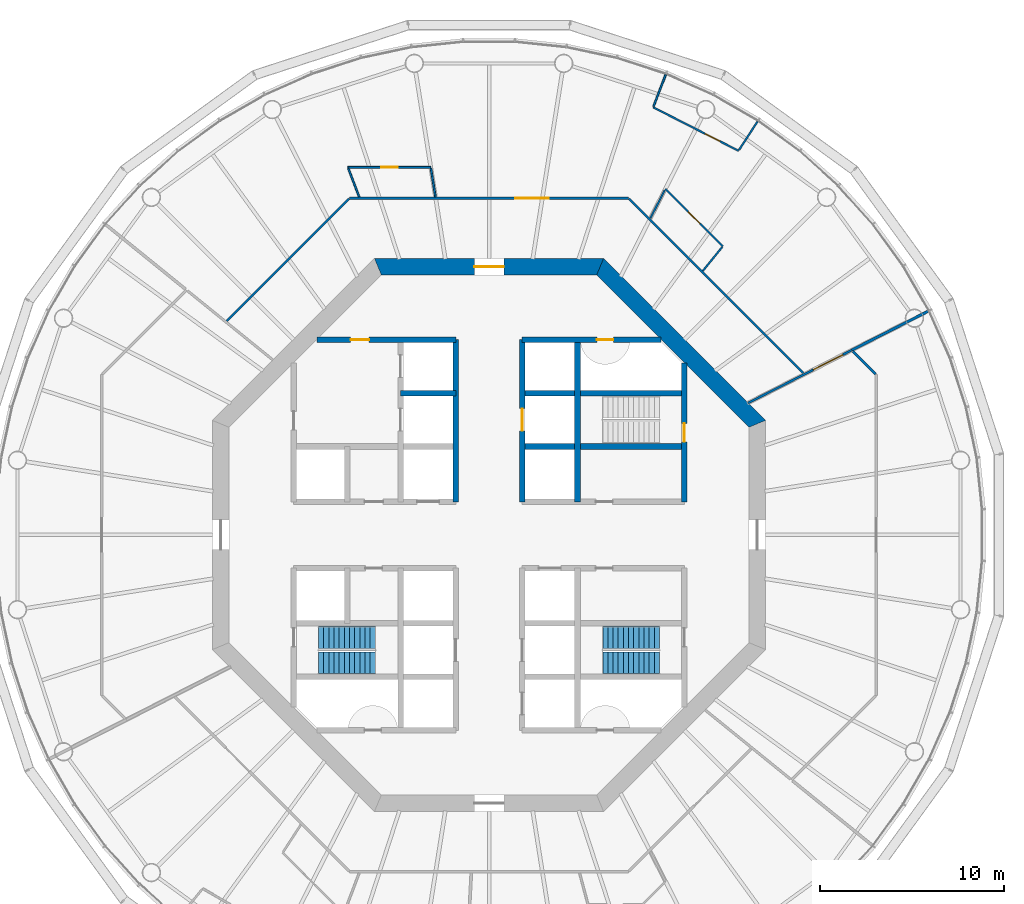
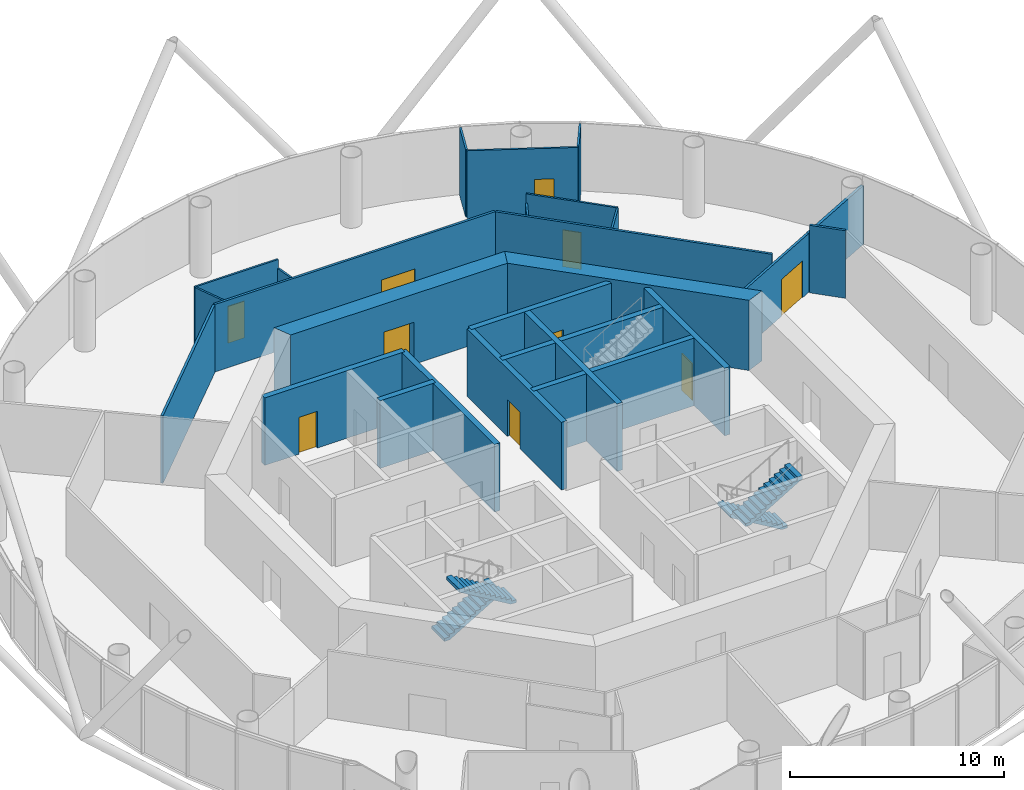
# One storey, part 5 of 13: 26 walls, 10 doors, 4 stair flights, 10 openings, 2 elements without a shape of their own.
"""IFC4 building model written with IfcOpenShell, lengths in metres."""

from ifc_helpers import new_model, si_unit, direction, frame, frame_2d, origin, place, context, subcontext, project, spatial, polyline, rectangle, outline, extrude, material, layer, layer_set, type_object, element, fill, aggregate, save


model = new_model("IFC4")

# Units and contexts
model_context = context("Model", 3, precision=1e-05, world=origin(), true_north=direction((0.0, 1.0)))
body_context = subcontext(model_context, "Body", "Model", "MODEL_VIEW")
ifc_project = project(units=[si_unit("LENGTHUNIT", "METRE"), si_unit("AREAUNIT", "SQUARE_METRE"), si_unit("VOLUMEUNIT", "CUBIC_METRE"), si_unit("PLANEANGLEUNIT", "RADIAN"), si_unit("MASSUNIT", "GRAM", prefix="KILO")], contexts=[model_context])

# Site, building, storey
site_placement = place(None, origin())
site = spatial("IfcSite", under=ifc_project, at=site_placement, CompositionType="ELEMENT")
building_placement = place(site_placement, origin())
building = spatial("IfcBuilding", under=site, at=building_placement, Name="Entoto Ring Tower", CompositionType="ELEMENT")
storey_placement = place(building_placement, frame((0.0, 0.0, 250.0)))
storey = spatial("IfcBuildingStorey", under=building, at=storey_placement, Name="L57", CompositionType="ELEMENT", Elevation=250.0)

# Wall, opening, door
ifc_material_1 = material(Name="Concrete C40/50", Category="concrete")
ifc_layer_1 = layer(ifc_material_1, 0.300048828125)
ifc_layer_set_1 = layer_set([ifc_layer_1], Name="Concrete C40/50")
wall_type_1 = type_object("IfcWallType", Name="Core enclosure wall 300 mm reinforced concrete", PredefinedType="SOLIDWALL", material=ifc_layer_set_1)
wall_1_placement = place(storey_placement, frame((100.60009765625, 81.800048828125, 0.0), z_axis=(0.0, 0.0, 1.0), x_axis=(0.0, 1.0, 0.0)))
wall_1 = element("IfcWall", 1, at=wall_1_placement, inside=storey, type_object=wall_type_1, Name="wall-L57-002", PredefinedType="SOLIDWALL", context=body_context, shape_type="SweptSolid", body=[
    extrude(rectangle(XDim=7.540283203125, YDim=0.300048828125, at=frame_2d((3.77001953125, 0.0))), origin(), (0.0, 0.0, 1.0), 3.85009765625),
])
opening_1_placement = place(wall_1_placement, frame((3.25, 0.0, 0.0)))
opening_1 = element("IfcOpeningElement", 2, at=opening_1_placement, cuts=wall_1, Name="Opening K-52", PredefinedType="OPENING", context=body_context, shape_type="SweptSolid", body=[
    extrude(rectangle(XDim=1.0, YDim=2.10009765625, at=frame_2d((0.5, 1.050048828125))), frame((0.0, 0.16015625, 0.0), z_axis=(0.0, -1.0, 0.0), x_axis=(1.0, 0.0, 0.0)), (0.0, 0.0, 1.0), 0.320068359375),
])
ifc_material_2 = material(Name="Steel door leaf, fire rated", Category="steel")
ifc_layer_2 = layer(ifc_material_2, 0.050048828125)
ifc_layer_set_2 = layer_set([ifc_layer_2], Name="Steel door leaf, fire rated")
door_type_1 = type_object("IfcDoorType", Name="Fire door FD60 1000 x 2100 single leaf", OperationType="NOTDEFINED", PredefinedType="DOOR", material=ifc_layer_set_2)
door_1_placement = place(opening_1_placement, origin())
door_1 = element("IfcDoor", 3, at=door_1_placement, inside=storey, type_object=door_type_1, Name="Door K-52", OperationType="SINGLE_SWING_LEFT", OverallHeight=2.10009765625, OverallWidth=1.0, PredefinedType="DOOR", context=body_context, shape_type="SweptSolid", body=[
    extrude(rectangle(XDim=1.0, YDim=2.10009765625, at=frame_2d((0.5, 1.050048828125))), frame((0.0, 0.02490234375, 0.0), z_axis=(0.0, -1.0, 0.0), x_axis=(1.0, 0.0, 0.0)), (0.0, 0.0, 1.0), 0.050048828125),
])
fill(opening_1, door_1)

# Wall
wall_2_placement = place(storey_placement, frame((94.800048828125, 81.800048828125, 0.0), z_axis=(0.0, 0.0, 1.0), x_axis=(0.0, 1.0, 0.0)))
element("IfcWall", 4, at=wall_2_placement, inside=storey, type_object=wall_type_1, Name="wall-L57-004", PredefinedType="SOLIDWALL", context=body_context, shape_type="SweptSolid", body=[
    extrude(rectangle(XDim=8.800048828125, YDim=0.300048828125, at=frame_2d((4.39990234375, 0.0))), origin(), (0.0, 0.0, 1.0), 3.85009765625),
])

# Wall, opening, door
wall_3_placement = place(storey_placement, frame((91.800048828125, 81.800048828125, 0.0), z_axis=(0.0, 0.0, 1.0), x_axis=(0.0, 1.0, 0.0)))
wall_3 = element("IfcWall", 5, at=wall_3_placement, inside=storey, type_object=wall_type_1, Name="wall-L57-006", PredefinedType="SOLIDWALL", context=body_context, shape_type="SweptSolid", body=[
    extrude(rectangle(XDim=8.800048828125, YDim=0.300048828125, at=frame_2d((4.39990234375, 0.0))), origin(), (0.0, 0.0, 1.0), 3.85009765625),
])
opening_2_placement = place(wall_3_placement, frame((3.85009765625, 0.0, 0.0)))
opening_2 = element("IfcOpeningElement", 6, at=opening_2_placement, cuts=wall_3, Name="Opening LD", PredefinedType="OPENING", context=body_context, shape_type="SweptSolid", body=[
    extrude(rectangle(XDim=1.199951171875, YDim=2.10009765625, at=frame_2d((0.60009765625, 1.050048828125))), frame((0.0, 0.16015625, 0.0), z_axis=(0.0, -1.0, 0.0), x_axis=(1.0, 0.0, 0.0)), (0.0, 0.0, 1.0), 0.320068359375),
])
ifc_material_3 = material(Name="Steel and glass door leaf", Category="steel")
ifc_layer_3 = layer(ifc_material_3, 0.050048828125)
ifc_layer_set_3 = layer_set([ifc_layer_3], Name="Steel and glass door leaf")
door_type_2 = type_object("IfcDoorType", Name="Landing door 1200 x 2100 sliding", OperationType="DOUBLE_DOOR_SLIDING", PredefinedType="DOOR", material=ifc_layer_set_3)
door_2_placement = place(opening_2_placement, origin())
door_2 = element("IfcDoor", 7, at=door_2_placement, inside=storey, type_object=door_type_2, Name="Landing door LB1-MR", OperationType="SLIDING_TO_RIGHT", OverallHeight=2.10009765625, OverallWidth=1.199951171875, PredefinedType="DOOR", context=body_context, shape_type="SweptSolid", body=[
    extrude(rectangle(XDim=1.199951171875, YDim=2.10009765625, at=frame_2d((0.60009765625, 1.050048828125))), frame((0.0, 0.02490234375, 0.0), z_axis=(0.0, -1.0, 0.0), x_axis=(1.0, 0.0, 0.0)), (0.0, 0.0, 1.0), 0.050048828125),
])
fill(opening_2, door_2)

# Walls
for number, where, z_axis, x_axis, name in (
    (8, (88.199951171875, 81.800048828125, 0.0), (0.0, 0.0, 1.0), (0.0, 1.0, 0.0), "wall-L57-008"),
    (9, (91.800048828125, 84.800048828125, 0.0), (0.0, 0.0, 1.0), (1.0, 0.0, 0.0), "wall-L57-026"),
):
    element("IfcWall", number, at=place(storey_placement, frame(where, z_axis=z_axis, x_axis=x_axis)), inside=storey, type_object=wall_type_1, Name=name, PredefinedType="SOLIDWALL", context=body_context, shape_type="SweptSolid", body=[
        extrude(rectangle(XDim=8.800048828125, YDim=0.300048828125, at=frame_2d((4.39990234375, 0.0))), origin(), (0.0, 0.0, 1.0), 3.85009765625),
    ])
wall_4_placement = place(storey_placement, frame((85.199951171875, 87.699951171875, 0.0), z_axis=(0.0, 0.0, 1.0), x_axis=(1.0, 0.0, 0.0)))
element("IfcWall", 10, at=wall_4_placement, inside=storey, type_object=wall_type_1, Name="wall-L57-027", PredefinedType="SOLIDWALL", context=body_context, shape_type="SweptSolid", body=[
    extrude(rectangle(XDim=3.0, YDim=0.300048828125, at=frame_2d((1.5, 0.0))), origin(), (0.0, 0.0, 1.0), 3.85009765625),
])
wall_5_placement = place(storey_placement, frame((91.800048828125, 87.699951171875, 0.0), z_axis=(0.0, 0.0, 1.0), x_axis=(1.0, 0.0, 0.0)))
element("IfcWall", 11, at=wall_5_placement, inside=storey, type_object=wall_type_1, Name="wall-L57-028", PredefinedType="SOLIDWALL", context=body_context, shape_type="SweptSolid", body=[
    extrude(rectangle(XDim=8.800048828125, YDim=0.300048828125, at=frame_2d((4.39990234375, 0.0))), origin(), (0.0, 0.0, 1.0), 3.85009765625),
])

# Wall, opening, door
wall_6_placement = place(storey_placement, frame((80.65966796875, 90.60009765625, 0.0), z_axis=(0.0, 0.0, 1.0), x_axis=(1.0, 0.0, 0.0)))
wall_6 = element("IfcWall", 12, at=wall_6_placement, inside=storey, type_object=wall_type_1, Name="wall-L57-029", PredefinedType="SOLIDWALL", context=body_context, shape_type="SweptSolid", body=[
    extrude(rectangle(XDim=7.540283203125, YDim=0.300048828125, at=frame_2d((3.77001953125, 0.0))), origin(), (0.0, 0.0, 1.0), 3.85009765625),
])
opening_3_placement = place(wall_6_placement, frame((1.84033203125, 0.0, 0.0)))
opening_3 = element("IfcOpeningElement", 13, at=opening_3_placement, cuts=wall_6, Name="Opening K-22", PredefinedType="OPENING", context=body_context, shape_type="SweptSolid", body=[
    extrude(rectangle(XDim=1.0, YDim=2.10009765625, at=frame_2d((0.5, 1.050048828125))), frame((0.0, 0.16015625, 0.0), z_axis=(0.0, -1.0, 0.0), x_axis=(1.0, 0.0, 0.0)), (0.0, 0.0, 1.0), 0.320068359375),
])
door_3_placement = place(opening_3_placement, frame((1.0, 0.0, 0.0), z_axis=(0.0, 0.0, 1.0), x_axis=(-1.0, 0.0, 0.0)))
door_3 = element("IfcDoor", 14, at=door_3_placement, inside=storey, type_object=door_type_1, Name="Door K-22", OperationType="SINGLE_SWING_LEFT", OverallHeight=2.10009765625, OverallWidth=1.0, PredefinedType="DOOR", context=body_context, shape_type="SweptSolid", body=[
    extrude(rectangle(XDim=1.0, YDim=2.10009765625, at=frame_2d((0.5, 1.050048828125))), frame((0.0, 0.02490234375, 0.0), z_axis=(0.0, -1.0, 0.0), x_axis=(1.0, 0.0, 0.0)), (0.0, 0.0, 1.0), 0.050048828125),
])
fill(opening_3, door_3)

wall_7_placement = place(storey_placement, frame((91.800048828125, 90.60009765625, 0.0), z_axis=(0.0, 0.0, 1.0), x_axis=(1.0, 0.0, 0.0)))
wall_7 = element("IfcWall", 15, at=wall_7_placement, inside=storey, type_object=wall_type_1, Name="wall-L57-030", PredefinedType="SOLIDWALL", context=body_context, shape_type="SweptSolid", body=[
    extrude(rectangle(XDim=7.540283203125, YDim=0.300048828125, at=frame_2d((3.77001953125, 0.0))), origin(), (0.0, 0.0, 1.0), 3.85009765625),
])
opening_4_placement = place(wall_7_placement, frame((4.050048828125, 0.0, 0.0)))
opening_4 = element("IfcOpeningElement", 16, at=opening_4_placement, cuts=wall_7, Name="Opening K-60", PredefinedType="OPENING", context=body_context, shape_type="SweptSolid", body=[
    extrude(rectangle(XDim=0.89990234375, YDim=2.10009765625, at=frame_2d((0.449951171875, 1.050048828125))), frame((0.0, 0.16015625, 0.0), z_axis=(0.0, -1.0, 0.0), x_axis=(1.0, 0.0, 0.0)), (0.0, 0.0, 1.0), 0.320068359375),
])
ifc_material_4 = material(Name="Steel door leaf, fire rated", Category="steel")
ifc_layer_4 = layer(ifc_material_4, 0.050048828125)
ifc_layer_set_4 = layer_set([ifc_layer_4], Name="Steel door leaf, fire rated")
door_type_3 = type_object("IfcDoorType", Name="Riser door FD60 900 x 2100 single leaf", OperationType="NOTDEFINED", PredefinedType="DOOR", material=ifc_layer_set_4)
door_4_placement = place(opening_4_placement, frame((0.89990234375, 0.0, 0.0), z_axis=(0.0, 0.0, 1.0), x_axis=(-1.0, 0.0, 0.0)))
door_4 = element("IfcDoor", 17, at=door_4_placement, inside=storey, type_object=door_type_3, Name="Door K-60", OperationType="SINGLE_SWING_RIGHT", OverallHeight=2.10009765625, OverallWidth=0.89990234375, PredefinedType="DOOR", context=body_context, shape_type="SweptSolid", body=[
    extrude(rectangle(XDim=0.89990234375, YDim=2.10009765625, at=frame_2d((0.449951171875, 1.050048828125))), frame((0.0, 0.02490234375, 0.0), z_axis=(0.0, -1.0, 0.0), x_axis=(1.0, 0.0, 0.0)), (0.0, 0.0, 1.0), 0.050048828125),
])
fill(opening_4, door_4)

# Wall
ifc_material_5 = material(Name="Concrete C50/60", Category="concrete")
ifc_layer_5 = layer(ifc_material_5, 0.89990234375)
ifc_layer_set_5 = layer_set([ifc_layer_5], Name="Concrete C50/60")
wall_type_2 = type_object("IfcWallType", Name="Core shear wall 900 mm reinforced concrete C50/60", PredefinedType="SHEAR", material=ifc_layer_set_5)
wall_8_placement = place(storey_placement, frame((104.550048828125, 86.02685546875, 0.0), z_axis=(0.0, 0.0, 1.0), x_axis=(-0.707106781187, 0.707106781187, 0.0)))
element("IfcWall", 18, at=wall_8_placement, inside=storey, type_object=wall_type_2, Name="wall-L57-core-1", PredefinedType="SHEAR", context=body_context, shape_type="SweptSolid", body=[
    extrude(outline(polyline([(-0.186279296875, -0.449951171875), (12.239990234375, -0.449951171875), (11.867431640625, 0.449951171875), (0.186279296875, 0.449951171875), (-0.186279296875, -0.449951171875)])), origin(), (0.0, 0.0, 1.0), 4.0),
])

# Wall, opening, door
wall_9_placement = place(storey_placement, frame((96.02685546875, 94.550048828125, 0.0), z_axis=(0.0, 0.0, 1.0), x_axis=(-1.0, 0.0, 0.0)))
wall_9 = element("IfcWall", 19, at=wall_9_placement, inside=storey, type_object=wall_type_2, Name="wall-L57-core-2", PredefinedType="SHEAR", context=body_context, shape_type="SweptSolid", body=[
    extrude(outline(polyline([(-0.186279296875, -0.449951171875), (12.239990234375, -0.449951171875), (11.867431640625, 0.449951171875), (0.186279296875, 0.449951171875), (-0.186279296875, -0.449951171875)])), origin(), (0.0, 0.0, 1.0), 4.0),
])
opening_5_placement = place(wall_9_placement, frame((5.226806640625, 0.0, 0.0)))
opening_5 = element("IfcOpeningElement", 20, at=opening_5_placement, cuts=wall_9, Name="Opening K-02", PredefinedType="OPENING", context=body_context, shape_type="SweptSolid", body=[
    extrude(rectangle(XDim=1.60009765625, YDim=2.39990234375, at=frame_2d((0.800048828125, 1.199951171875))), frame((0.0, 0.4599609375, 0.0), z_axis=(0.0, -1.0, 0.0), x_axis=(1.0, 0.0, 0.0)), (0.0, 0.0, 1.0), 0.919921875),
])
ifc_material_6 = material(Name="Steel door leaf, fire rated", Category="steel")
ifc_layer_6 = layer(ifc_material_6, 0.050048828125)
ifc_layer_set_6 = layer_set([ifc_layer_6], Name="Steel door leaf, fire rated")
door_type_4 = type_object("IfcDoorType", Name="Entrance door FD60 1600 x 2400 double leaf", OperationType="DOUBLE_DOOR_SINGLE_SWING", PredefinedType="DOOR", material=ifc_layer_set_6)
door_5_placement = place(opening_5_placement, origin())
door_5 = element("IfcDoor", 21, at=door_5_placement, inside=storey, type_object=door_type_4, Name="Entrance door K-02", OperationType="DOUBLE_DOOR_SINGLE_SWING", OverallHeight=2.39990234375, OverallWidth=1.60009765625, PredefinedType="DOOR", context=body_context, shape_type="SweptSolid", body=[
    extrude(rectangle(XDim=1.60009765625, YDim=2.39990234375, at=frame_2d((0.800048828125, 1.199951171875))), frame((0.0, 0.02490234375, 0.0), z_axis=(0.0, -1.0, 0.0), x_axis=(1.0, 0.0, 0.0)), (0.0, 0.0, 1.0), 0.050048828125),
])
fill(opening_5, door_5)

ifc_material_7 = material(Name="Fire-resisting plasterboard on steel studs", Category="steel")
ifc_layer_7 = layer(ifc_material_7, 0.125)
ifc_layer_set_7 = layer_set([ifc_layer_7], Name="Fire-resisting plasterboard on steel studs")
wall_type_3 = type_object("IfcWallType", Name="Corridor wall 125 mm one-hour plasterboard on steel studs", PredefinedType="PARTITIONING", material=ifc_layer_set_7)
wall_10_placement = place(storey_placement, frame((82.435302734375, 98.262451171875, 0.0), z_axis=(0.0, 0.0, 1.0), x_axis=(1.0, 0.0, 0.0)))
wall_10 = element("IfcWall", 22, at=wall_10_placement, inside=storey, type_object=wall_type_3, Name="partition-L57-004", PredefinedType="PARTITIONING", context=body_context, shape_type="SweptSolid", body=[
    extrude(rectangle(XDim=15.12939453125, YDim=0.125, at=frame_2d((7.564697265625, 0.0))), origin(), (0.0, 0.0, 1.0), 3.85009765625),
])
opening_6_placement = place(wall_10_placement, frame((9.00048828125, 0.0, 0.0)))
opening_6 = element("IfcOpeningElement", 23, at=opening_6_placement, cuts=wall_10, Name="Opening A25-D03", PredefinedType="OPENING", context=body_context, shape_type="SweptSolid", body=[
    extrude(rectangle(XDim=1.800048828125, YDim=2.10009765625, at=frame_2d((0.89990234375, 1.050048828125))), frame((0.0, 0.072509765625, 0.0), z_axis=(0.0, -1.0, 0.0), x_axis=(1.0, 0.0, 0.0)), (0.0, 0.0, 1.0), 0.14501953125),
])
ifc_material_8 = material(Name="Fire-resisting timber door set", Category="wood")
door_type_5 = type_object("IfcDoorType", Name="Door 1800 x 2100 double leaf FD30S fire door", OperationType="DOUBLE_DOOR_SINGLE_SWING", PredefinedType="DOOR", material=ifc_material_8)
door_6_placement = place(opening_6_placement, origin())
door_6 = element("IfcDoor", 24, at=door_6_placement, inside=storey, type_object=door_type_5, Name="Door A25-D03", OperationType="DOUBLE_DOOR_SINGLE_SWING", OverallHeight=2.10009765625, OverallWidth=1.800048828125, PredefinedType="DOOR", context=body_context, shape_type="SweptSolid", body=[
    extrude(rectangle(XDim=1.800048828125, YDim=2.10009765625, at=frame_2d((0.89990234375, 1.050048828125))), frame((0.0, 0.02490234375, 0.0), z_axis=(0.0, -1.0, 0.0), x_axis=(1.0, 0.0, 0.0)), (0.0, 0.0, 1.0), 0.050048828125),
])
fill(opening_6, door_6)

# Walls
wall_11_placement = place(storey_placement, frame((107.048583984375, 88.7783203125, 0.0), z_axis=(0.0, 0.0, 1.0), x_axis=(-0.707097649982, 0.707115912273, 0.0)))
element("IfcWall", 25, at=wall_11_placement, inside=storey, type_object=wall_type_3, Name="partition-L57-006", PredefinedType="PARTITIONING", context=body_context, shape_type="SweptSolid", body=[
    extrude(rectangle(XDim=13.36865234375, YDim=0.125, at=frame_2d((6.684326171875, 0.0))), origin(), (0.0, 0.0, 1.0), 3.85009765625),
])
wall_12_placement = place(storey_placement, frame((75.7783203125, 91.605224609375, 0.0), z_axis=(0.0, 0.0, 1.0), x_axis=(0.707093754284, 0.707119807849, 0.0)))
element("IfcWall", 26, at=wall_12_placement, inside=storey, type_object=wall_type_3, Name="partition-L57-007", PredefinedType="PARTITIONING", context=body_context, shape_type="SweptSolid", body=[
    extrude(rectangle(XDim=9.37060546875, YDim=0.125, at=frame_2d((4.685302734375, 0.0))), origin(), (0.0, 0.0, 1.0), 3.85009765625),
])
wall_13_placement = place(storey_placement, frame((110.968994140625, 88.7294921875, 0.0), z_axis=(0.0, 0.0, 1.0), x_axis=(-0.707106781187, 0.707106781187, 0.0)))
element("IfcWall", 27, at=wall_13_placement, inside=storey, type_object=wall_type_3, Name="partition-L57-016", PredefinedType="PARTITIONING", context=body_context, shape_type="SweptSolid", body=[
    extrude(rectangle(XDim=1.732177734375, YDim=0.125, at=frame_2d((0.8662109375, 0.0))), origin(), (0.0, 0.0, 1.0), 3.85009765625),
])

# Wall, opening, door
ifc_material_9 = material(Name="Fire-resisting plasterboard on steel studs", Category="steel")
ifc_layer_8 = layer(ifc_material_9, 0.125)
ifc_layer_set_8 = layer_set([ifc_layer_8], Name="Fire-resisting plasterboard on steel studs")
wall_type_4 = type_object("IfcWallType", Name="Corridor wall 125 mm one-hour plasterboard on steel studs, 3350 mm high", PredefinedType="PARTITIONING", material=ifc_layer_set_8)
wall_14_placement = place(storey_placement, frame((104.052978515625, 87.160400390625, 0.0), z_axis=(0.0, 0.0, 1.0), x_axis=(0.891011438751, 0.453980854238, 0.0)))
wall_14 = element("IfcWall", 28, at=wall_14_placement, inside=storey, type_object=wall_type_4, Name="partition-L57-011", PredefinedType="PARTITIONING", context=body_context, shape_type="SweptSolid", body=[
    extrude(rectangle(XDim=6.30859375, YDim=0.125, at=frame_2d((3.154296875, 0.0))), origin(), (0.0, 0.0, 1.0), 3.35009765625),
])
opening_7_placement = place(wall_14_placement, frame((3.969482421875, 0.0, 0.0)))
opening_7 = element("IfcOpeningElement", 29, at=opening_7_placement, cuts=wall_14, Name="Opening A25-D04", PredefinedType="OPENING", context=body_context, shape_type="SweptSolid", body=[
    extrude(rectangle(XDim=1.800048828125, YDim=2.10009765625, at=frame_2d((0.89990234375, 1.050048828125))), frame((0.0, 0.072509765625, 0.0), z_axis=(0.0, -1.0, 0.0), x_axis=(1.0, 0.0, 0.0)), (0.0, 0.0, 1.0), 0.14501953125),
])
door_7_placement = place(opening_7_placement, origin())
door_7 = element("IfcDoor", 30, at=door_7_placement, inside=storey, type_object=door_type_5, Name="Door A25-D04", OperationType="DOUBLE_DOOR_SINGLE_SWING", OverallHeight=2.10009765625, OverallWidth=1.800048828125, PredefinedType="DOOR", context=body_context, shape_type="SweptSolid", body=[
    extrude(rectangle(XDim=1.800048828125, YDim=2.10009765625, at=frame_2d((0.89990234375, 1.050048828125))), frame((0.0, 0.02490234375, 0.0), z_axis=(0.0, -1.0, 0.0), x_axis=(1.0, 0.0, 0.0)), (0.0, 0.0, 1.0), 0.050048828125),
])
fill(opening_7, door_7)

ifc_material_10 = material(Name="Plasterboard on steel studs", Category="steel")
ifc_layer_9 = layer(ifc_material_10, 0.10009765625)
ifc_layer_set_9 = layer_set([ifc_layer_9], Name="Plasterboard on steel studs")
wall_type_5 = type_object("IfcWallType", Name="Partition 100 mm plasterboard on steel studs", PredefinedType="PARTITIONING", material=ifc_layer_set_9)
wall_15_placement = place(storey_placement, frame((103.5341796875, 100.841064453125, 0.0), z_axis=(0.0, 0.0, 1.0), x_axis=(-0.891008292102, 0.453987029997, 0.0)))
wall_15 = element("IfcWall", 31, at=wall_15_placement, inside=storey, type_object=wall_type_5, Name="partition-L57-023", PredefinedType="PARTITIONING", context=body_context, shape_type="SweptSolid", body=[
    extrude(rectangle(XDim=5.19482421875, YDim=0.10009765625, at=frame_2d((2.597412109375, 0.0))), origin(), (0.0, 0.0, 1.0), 3.85009765625),
])
opening_8_placement = place(wall_15_placement, frame((1.12890625, 0.0, 0.0)))
opening_8 = element("IfcOpeningElement", 32, at=opening_8_placement, cuts=wall_15, Name="Opening A25-D07", PredefinedType="OPENING", context=body_context, shape_type="SweptSolid", body=[
    extrude(rectangle(XDim=0.89990234375, YDim=2.10009765625, at=frame_2d((0.449951171875, 1.050048828125))), frame((0.0, 0.06005859375, 0.0), z_axis=(0.0, -1.0, 0.0), x_axis=(1.0, 0.0, 0.0)), (0.0, 0.0, 1.0), 0.1201171875),
])
ifc_material_11 = material(Name="Veneered timber door leaf in timber frame", Category="wood")
door_type_6 = type_object("IfcDoorType", Name="Door 900 x 2100 single leaf timber veneer", OperationType="NOTDEFINED", PredefinedType="DOOR", material=ifc_material_11)
door_8_placement = place(opening_8_placement, frame((0.89990234375, 0.0, 0.0), z_axis=(0.0, 0.0, 1.0), x_axis=(-1.0, 0.0, 0.0)))
door_8 = element("IfcDoor", 33, at=door_8_placement, inside=storey, type_object=door_type_6, Name="Door A25-D07", OperationType="SINGLE_SWING_RIGHT", OverallHeight=2.10009765625, OverallWidth=0.89990234375, PredefinedType="DOOR", context=body_context, shape_type="SweptSolid", body=[
    extrude(rectangle(XDim=0.89990234375, YDim=2.10009765625, at=frame_2d((0.449951171875, 1.050048828125))), frame((0.0, 0.02490234375, 0.0), z_axis=(0.0, -1.0, 0.0), x_axis=(1.0, 0.0, 0.0)), (0.0, 0.0, 1.0), 0.050048828125),
])
fill(opening_8, door_8)

wall_16_placement = place(storey_placement, frame((82.3447265625, 99.9423828125, 0.0), z_axis=(0.0, 0.0, 1.0), x_axis=(1.0, 0.0, 0.0)))
wall_16 = element("IfcWall", 34, at=wall_16_placement, inside=storey, type_object=wall_type_5, Name="partition-L57-025", PredefinedType="PARTITIONING", context=body_context, shape_type="SweptSolid", body=[
    extrude(rectangle(XDim=4.49658203125, YDim=0.10009765625, at=frame_2d((2.248291015625, 0.0))), origin(), (0.0, 0.0, 1.0), 3.85009765625),
])
opening_9_placement = place(wall_16_placement, frame((1.79833984375, 0.0, 0.0)))
opening_9 = element("IfcOpeningElement", 35, at=opening_9_placement, cuts=wall_16, Name="Opening A25-D06", PredefinedType="OPENING", context=body_context, shape_type="SweptSolid", body=[
    extrude(rectangle(XDim=0.89990234375, YDim=2.10009765625, at=frame_2d((0.449951171875, 1.050048828125))), frame((0.0, 0.06005859375, 0.0), z_axis=(0.0, -1.0, 0.0), x_axis=(1.0, 0.0, 0.0)), (0.0, 0.0, 1.0), 0.1201171875),
])
door_9_placement = place(opening_9_placement, frame((0.89990234375, 0.0, 0.0), z_axis=(0.0, 0.0, 1.0), x_axis=(-1.0, 0.0, 0.0)))
door_9 = element("IfcDoor", 36, at=door_9_placement, inside=storey, type_object=door_type_6, Name="Door A25-D06", OperationType="SINGLE_SWING_RIGHT", OverallHeight=2.10009765625, OverallWidth=0.89990234375, PredefinedType="DOOR", context=body_context, shape_type="SweptSolid", body=[
    extrude(rectangle(XDim=0.89990234375, YDim=2.10009765625, at=frame_2d((0.449951171875, 1.050048828125))), frame((0.0, 0.02490234375, 0.0), z_axis=(0.0, -1.0, 0.0), x_axis=(1.0, 0.0, 0.0)), (0.0, 0.0, 1.0), 0.050048828125),
])
fill(opening_9, door_9)

wall_17_placement = place(storey_placement, frame((102.67626953125, 95.65380859375, 0.0), z_axis=(0.0, 0.0, 1.0), x_axis=(-0.707106781187, 0.707106781187, 0.0)))
wall_17 = element("IfcWall", 37, at=wall_17_placement, inside=storey, type_object=wall_type_5, Name="partition-L57-026", PredefinedType="PARTITIONING", context=body_context, shape_type="SweptSolid", body=[
    extrude(rectangle(XDim=4.403564453125, YDim=0.10009765625, at=frame_2d((2.20166015625, 0.0))), origin(), (0.0, 0.0, 1.0), 3.85009765625),
])
opening_10_placement = place(wall_17_placement, frame((1.751708984375, 0.0, 0.0)))
opening_10 = element("IfcOpeningElement", 38, at=opening_10_placement, cuts=wall_17, Name="Opening A25-D05", PredefinedType="OPENING", context=body_context, shape_type="SweptSolid", body=[
    extrude(rectangle(XDim=0.89990234375, YDim=2.10009765625, at=frame_2d((0.449951171875, 1.050048828125))), frame((0.0, 0.06005859375, 0.0), z_axis=(0.0, -1.0, 0.0), x_axis=(1.0, 0.0, 0.0)), (0.0, 0.0, 1.0), 0.1201171875),
])
door_10_placement = place(opening_10_placement, origin())
door_10 = element("IfcDoor", 39, at=door_10_placement, inside=storey, type_object=door_type_6, Name="Door A25-D05", OperationType="SINGLE_SWING_RIGHT", OverallHeight=2.10009765625, OverallWidth=0.89990234375, PredefinedType="DOOR", context=body_context, shape_type="SweptSolid", body=[
    extrude(rectangle(XDim=0.89990234375, YDim=2.10009765625, at=frame_2d((0.449951171875, 1.050048828125))), frame((0.0, 0.02490234375, 0.0), z_axis=(0.0, -1.0, 0.0), x_axis=(1.0, 0.0, 0.0)), (0.0, 0.0, 1.0), 0.050048828125),
])
fill(opening_10, door_10)

# Walls
for number, where, z_axis, x_axis, name in (
    (40, (98.923095703125, 103.245849609375, 0.0), (0.0, 0.0, 1.0), (0.358454526413, 0.933547188145, 0.0), "partition-L57-035"),
    (41, (103.561279296875, 100.882568359375, 0.0), (0.0, 0.0, 1.0), (0.544680573421, 0.838643591127, 0.0), "partition-L57-036"),
):
    element("IfcWall", number, at=place(storey_placement, frame(where, z_axis=z_axis, x_axis=x_axis)), inside=storey, type_object=wall_type_5, Name=name, PredefinedType="PARTITIONING", context=body_context, shape_type="SweptSolid", body=[
        extrude(rectangle(XDim=1.84033203125, YDim=0.10009765625, at=frame_2d((0.920166015625, 0.0))), origin(), (0.0, 0.0, 1.0), 3.85009765625),
    ])
wall_18_placement = place(storey_placement, frame((82.958984375, 98.3427734375, 0.0), z_axis=(0.0, 0.0, 1.0), x_axis=(-0.3584007789, 0.933567823826, 0.0)))
element("IfcWall", 42, at=wall_18_placement, inside=storey, type_object=wall_type_5, Name="partition-L57-040", PredefinedType="PARTITIONING", context=body_context, shape_type="SweptSolid", body=[
    extrude(rectangle(XDim=1.64111328125, YDim=0.10009765625, at=frame_2d((0.820556640625, 0.0))), origin(), (0.0, 0.0, 1.0), 3.85009765625),
])
wall_19_placement = place(storey_placement, frame((101.59912109375, 94.32373046875, 0.0), z_axis=(0.0, 0.0, 1.0), x_axis=(0.629341903283, 0.777128540701, 0.0)))
element("IfcWall", 43, at=wall_19_placement, inside=storey, type_object=wall_type_5, Name="partition-L57-042", PredefinedType="PARTITIONING", context=body_context, shape_type="SweptSolid", body=[
    extrude(rectangle(XDim=1.661865234375, YDim=0.10009765625, at=frame_2d((0.8310546875, 0.0))), origin(), (0.0, 0.0, 1.0), 3.85009765625),
])
ifc_material_12 = material(Name="Plasterboard on steel studs", Category="steel")
ifc_layer_10 = layer(ifc_material_12, 0.10009765625)
ifc_layer_set_10 = layer_set([ifc_layer_10], Name="Plasterboard on steel studs")
wall_type_6 = type_object("IfcWallType", Name="Partition 100 mm plasterboard on steel studs, 3350 mm high", PredefinedType="PARTITIONING", material=ifc_layer_set_10)
wall_20_placement = place(storey_placement, frame((98.7548828125, 97.182373046875, 0.0), z_axis=(0.0, 0.0, 1.0), x_axis=(0.453994195604, 0.891004641042, 0.0)))
element("IfcWall", 44, at=wall_20_placement, inside=storey, type_object=wall_type_6, Name="partition-L57-039", PredefinedType="PARTITIONING", context=body_context, shape_type="SweptSolid", body=[
    extrude(rectangle(XDim=1.710693359375, YDim=0.10009765625, at=frame_2d((0.85546875, 0.0))), origin(), (0.0, 0.0, 1.0), 3.35009765625),
])
wall_21_placement = place(storey_placement, frame((87.096435546875, 98.332763671875, 0.0), z_axis=(0.0, 0.0, 1.0), x_axis=(-0.156478148162, 0.987681420878, 0.0)))
element("IfcWall", 45, at=wall_21_placement, inside=storey, type_object=wall_type_6, Name="partition-L57-043", PredefinedType="PARTITIONING", context=body_context, shape_type="SweptSolid", body=[
    extrude(rectangle(XDim=1.58056640625, YDim=0.10009765625, at=frame_2d((0.790283203125, 0.0))), origin(), (0.0, 0.0, 1.0), 3.35009765625),
])
ifc_material_13 = material(Name="Fire-resisting acoustic plasterboard on steel studs", Category="steel")
ifc_layer_11 = layer(ifc_material_13, 0.14990234375)
ifc_layer_set_11 = layer_set([ifc_layer_11], Name="Fire-resisting acoustic plasterboard on steel studs")
wall_type_7 = type_object("IfcWallType", Name="Party wall 150 mm one-hour acoustic plasterboard on steel studs, 3350 mm high", PredefinedType="PARTITIONING", material=ifc_layer_set_11)
wall_22_placement = place(storey_placement, frame((109.67431640625, 90.0244140625, 0.0), z_axis=(0.0, 0.0, 1.0), x_axis=(0.89099510326, 0.454012913877, 0.0)))
element("IfcWall", 46, at=wall_22_placement, inside=storey, type_object=wall_type_7, Name="partition-L57-020", PredefinedType="PARTITIONING", context=body_context, shape_type="SweptSolid", body=[
    extrude(rectangle(XDim=4.658935546875, YDim=0.14990234375, at=frame_2d((2.32958984375, 0.0))), origin(), (0.0, 0.0, 1.0), 3.35009765625),
])

# Stair, stair flights
ifc_material_14 = material(Name="Concrete C40/50", Category="concrete")
stair_type = type_object("IfcStairType", Name="Exit stair 1200 mm dog-leg reinforced concrete", PredefinedType="HALF_TURN_STAIR", material=ifc_material_14)
stair_1_placement = place(storey_placement, origin())
stair_1 = element("IfcStair", 47, at=stair_1_placement, inside=storey, type_object=stair_type, Name="Exit stair 2", PredefinedType="HALF_TURN_STAIR")
ifc_material_15 = material(Name="Concrete C40/50", Category="concrete")
stair_flight_type = type_object("IfcStairFlightType", Name="Stair flight 1200 mm reinforced concrete", PredefinedType="STRAIGHT", material=ifc_material_15)
stair_flight_1_placement = place(storey_placement, frame((80.75, 74.449951171875, 0.0), z_axis=(0.0, 0.0, 1.0), x_axis=(1.0, 0.0, 0.0)))
stair_flight_1 = element("IfcStairFlight", 48, at=stair_flight_1_placement, type_object=stair_flight_type, Name="ST2 flight 1", NumberOfRisers=12, NumberOfTreads=11, PredefinedType="STRAIGHT", RiserHeight=0.166666667, TreadLength=0.28, context=body_context, shape_type="SweptSolid", body=[
    extrude(outline(polyline([(0.0, 0.0), (0.0, 0.166748046875), (0.280029296875, 0.166748046875), (0.280029296875, 0.333251953125), (0.56005859375, 0.333251953125), (0.56005859375, 0.5), (0.840087890625, 0.5), (0.840087890625, 0.666748046875), (1.1201171875, 0.666748046875), (1.1201171875, 0.833251953125), (1.39990234375, 0.833251953125), (1.39990234375, 1.0), (1.679931640625, 1.0), (1.679931640625, 1.166748046875), (1.9599609375, 1.166748046875), (1.9599609375, 1.333251953125), (2.239990234375, 1.333251953125), (2.239990234375, 1.5), (2.52001953125, 1.5), (2.52001953125, 1.666748046875), (2.800048828125, 1.666748046875), (2.800048828125, 1.833251953125), (3.080078125, 1.833251953125), (3.080078125, 2.0), (3.080078125, 1.658935546875), (0.29296875, 0.0), (0.0, 0.0)])), frame((0.0, 0.60009765625, 0.0), z_axis=(0.0, -1.0, 0.0), x_axis=(1.0, 0.0, 0.0)), (0.0, 0.0, 1.0), 1.199951171875),
])
stair_flight_2_placement = place(storey_placement, frame((83.830078125, 73.050048828125, 2.0), z_axis=(0.0, 0.0, 1.0), x_axis=(-1.0, 0.0, 0.0)))
stair_flight_2 = element("IfcStairFlight", 49, at=stair_flight_2_placement, type_object=stair_flight_type, Name="ST2 flight 2", NumberOfRisers=12, NumberOfTreads=11, PredefinedType="STRAIGHT", RiserHeight=0.166666667, TreadLength=0.28, context=body_context, shape_type="SweptSolid", body=[
    extrude(outline(polyline([(0.0, 0.0), (0.0, 0.166748046875), (0.280029296875, 0.166748046875), (0.280029296875, 0.333251953125), (0.56005859375, 0.333251953125), (0.56005859375, 0.5), (0.840087890625, 0.5), (0.840087890625, 0.666748046875), (1.1201171875, 0.666748046875), (1.1201171875, 0.833251953125), (1.39990234375, 0.833251953125), (1.39990234375, 1.0), (1.679931640625, 1.0), (1.679931640625, 1.166748046875), (1.9599609375, 1.166748046875), (1.9599609375, 1.333251953125), (2.239990234375, 1.333251953125), (2.239990234375, 1.5), (2.52001953125, 1.5), (2.52001953125, 1.666748046875), (2.800048828125, 1.666748046875), (2.800048828125, 1.833251953125), (3.080078125, 1.833251953125), (3.080078125, 2.0), (3.080078125, 1.658935546875), (0.29296875, 0.0), (0.0, 0.0)])), frame((0.0, 0.60009765625, 0.0), z_axis=(0.0, -1.0, 0.0), x_axis=(1.0, 0.0, 0.0)), (0.0, 0.0, 1.0), 1.199951171875),
])
aggregate(stair_1, [stair_flight_1, stair_flight_2])

stair_2_placement = place(storey_placement, origin())
stair_2 = element("IfcStair", 50, at=stair_2_placement, inside=storey, type_object=stair_type, Name="Exit stair 3", PredefinedType="HALF_TURN_STAIR")
stair_flight_3_placement = place(storey_placement, frame((99.25, 74.449951171875, 0.0), z_axis=(0.0, 0.0, 1.0), x_axis=(-1.0, 0.0, 0.0)))
stair_flight_3 = element("IfcStairFlight", 51, at=stair_flight_3_placement, type_object=stair_flight_type, Name="ST3 flight 1", NumberOfRisers=12, NumberOfTreads=11, PredefinedType="STRAIGHT", RiserHeight=0.166666667, TreadLength=0.28, context=body_context, shape_type="SweptSolid", body=[
    extrude(outline(polyline([(0.0, 0.0), (0.0, 0.166748046875), (0.280029296875, 0.166748046875), (0.280029296875, 0.333251953125), (0.56005859375, 0.333251953125), (0.56005859375, 0.5), (0.840087890625, 0.5), (0.840087890625, 0.666748046875), (1.1201171875, 0.666748046875), (1.1201171875, 0.833251953125), (1.39990234375, 0.833251953125), (1.39990234375, 1.0), (1.679931640625, 1.0), (1.679931640625, 1.166748046875), (1.9599609375, 1.166748046875), (1.9599609375, 1.333251953125), (2.239990234375, 1.333251953125), (2.239990234375, 1.5), (2.52001953125, 1.5), (2.52001953125, 1.666748046875), (2.800048828125, 1.666748046875), (2.800048828125, 1.833251953125), (3.080078125, 1.833251953125), (3.080078125, 2.0), (3.080078125, 1.658935546875), (0.29296875, 0.0), (0.0, 0.0)])), frame((0.0, 0.60009765625, 0.0), z_axis=(0.0, -1.0, 0.0), x_axis=(1.0, 0.0, 0.0)), (0.0, 0.0, 1.0), 1.199951171875),
])
stair_flight_4_placement = place(storey_placement, frame((96.169921875, 73.050048828125, 2.0), z_axis=(0.0, 0.0, 1.0), x_axis=(1.0, 0.0, 0.0)))
stair_flight_4 = element("IfcStairFlight", 52, at=stair_flight_4_placement, type_object=stair_flight_type, Name="ST3 flight 2", NumberOfRisers=12, NumberOfTreads=11, PredefinedType="STRAIGHT", RiserHeight=0.166666667, TreadLength=0.28, context=body_context, shape_type="SweptSolid", body=[
    extrude(outline(polyline([(0.0, 0.0), (0.0, 0.166748046875), (0.280029296875, 0.166748046875), (0.280029296875, 0.333251953125), (0.56005859375, 0.333251953125), (0.56005859375, 0.5), (0.840087890625, 0.5), (0.840087890625, 0.666748046875), (1.1201171875, 0.666748046875), (1.1201171875, 0.833251953125), (1.39990234375, 0.833251953125), (1.39990234375, 1.0), (1.679931640625, 1.0), (1.679931640625, 1.166748046875), (1.9599609375, 1.166748046875), (1.9599609375, 1.333251953125), (2.239990234375, 1.333251953125), (2.239990234375, 1.5), (2.52001953125, 1.5), (2.52001953125, 1.666748046875), (2.800048828125, 1.666748046875), (2.800048828125, 1.833251953125), (3.080078125, 1.833251953125), (3.080078125, 2.0), (3.080078125, 1.658935546875), (0.29296875, 0.0), (0.0, 0.0)])), frame((0.0, 0.60009765625, 0.0), z_axis=(0.0, -1.0, 0.0), x_axis=(1.0, 0.0, 0.0)), (0.0, 0.0, 1.0), 1.199951171875),
])
aggregate(stair_2, [stair_flight_3, stair_flight_4])

save(model, "model.ifc")
